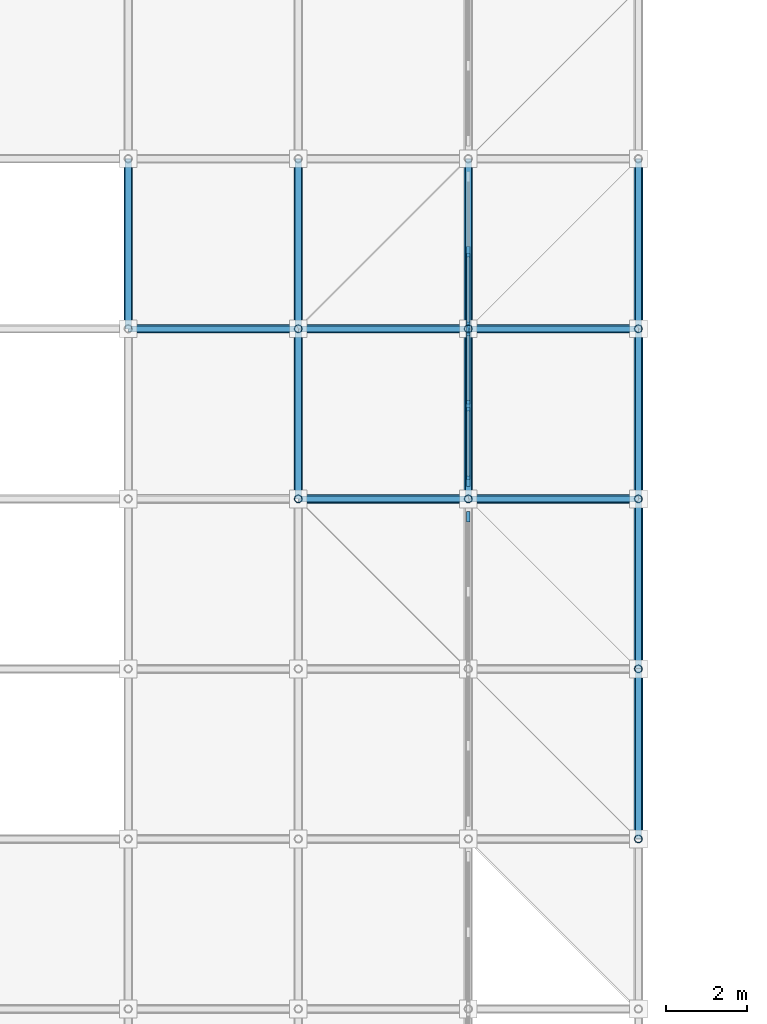
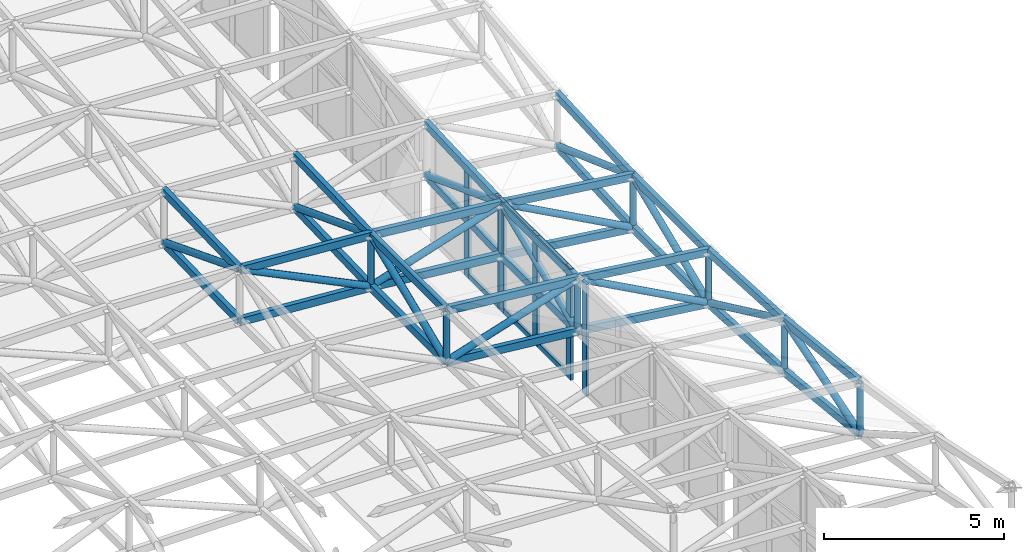
# One storey, part 25 of 132: 62 members, 3 elements without a shape of their own.
"""IFC4 building model written with IfcOpenShell, lengths in metres."""

from ifc_helpers import new_model, si_unit, direction, frame, origin, origin_2d, place, context, subcontext, project, spatial, rectangle, hollow_rectangle, hollow_circle, extrude, material, material_profile, profile_set, type_object, element, aggregate, save


model = new_model("IFC4")

# Units and contexts
model_context = context("Model", 3, precision=1e-05, world=origin(), true_north=direction((0.0, 1.0)))
body_context = subcontext(model_context, "Body", "Model", "MODEL_VIEW")
ifc_project = project(units=[si_unit("LENGTHUNIT", "METRE"), si_unit("AREAUNIT", "SQUARE_METRE"), si_unit("VOLUMEUNIT", "CUBIC_METRE"), si_unit("PLANEANGLEUNIT", "RADIAN"), si_unit("MASSUNIT", "GRAM", prefix="KILO")], contexts=[model_context])

# Site, building, storey
site_placement = place(None, origin())
site = spatial("IfcSite", under=ifc_project, at=site_placement, CompositionType="ELEMENT")
building_placement = place(site_placement, origin())
building = spatial("IfcBuilding", under=site, at=building_placement, Name="Cumbredor Promenade Congress Hotel", CompositionType="ELEMENT")
storey_placement = place(building_placement, frame((0.0, 0.0, 7.56005859375)))
storey = spatial("IfcBuildingStorey", under=building, at=storey_placement, Name="L02", CompositionType="ELEMENT", Elevation=7.56005859375)

# Curtain wall, member
ifc_material_1 = material(Name="Thermally broken anodized aluminium and low-E glass", Category="aluminium")
curtain_wall_type = type_object("IfcCurtainWallType", Name="Stepped Pavilion Clerestory Curtain Wall CW-06", PredefinedType="NOTDEFINED", material=ifc_material_1)
curtain_wall_1_placement = place(storey_placement, origin())
curtain_wall_1 = element("IfcCurtainWall", 1, at=curtain_wall_1_placement, inside=storey, type_object=curtain_wall_type, Name="Thermal Spa and Hydrotherapy Pavilion E Glazed Clerestory 4", PredefinedType="NOTDEFINED")
ifc_material_2 = material(Name="Thermally broken anodized aluminium", Category="aluminium")
ifc_material_profile_1 = material_profile(ifc_material_2, rectangle(XDim=0.0849609375, YDim=0.260009765625, at=origin_2d()), Name="ALU MULLION CLERESTORY 85x260")
ifc_profile_set_1 = profile_set([ifc_material_profile_1], Name="Thermally broken anodized aluminium")
member_type_1 = type_object("IfcMemberType", Name="Curtain Wall Mullion ML-04", PredefinedType="MULLION", material=ifc_profile_set_1)
member_1_placement = place(storey_placement, frame((109.199951171875, 24.760009765625, -0.01806640625), z_axis=(0.0, 0.0, 1.0), x_axis=(1.0, 0.0, 0.0)))
member_1 = element("IfcMember", 2, at=member_1_placement, type_object=member_type_1, Name="Thermal Spa and Hydrotherapy Pavilion E Glazed Clerestory 4 Mullion 3", PredefinedType="MULLION", context=body_context, shape_type="SweptSolid", body=[
    extrude(rectangle(XDim=0.0849609375, YDim=0.260009765625, at=origin_2d()), origin(), (0.0, 0.0, 1.0), 3.790771484375),
])
aggregate(curtain_wall_1, [member_1])

# Curtain wall, members
curtain_wall_2_placement = place(storey_placement, origin())
curtain_wall_2 = element("IfcCurtainWall", 3, at=curtain_wall_2_placement, inside=storey, type_object=curtain_wall_type, Name="Thermal Spa and Hydrotherapy Pavilion E Glazed Clerestory 5", PredefinedType="NOTDEFINED")
member_2_placement = place(storey_placement, frame((109.199951171875, 25.639892578125, -0.01806640625), z_axis=(0.0, 0.0, 1.0), x_axis=(1.0, 0.0, 0.0)))
member_2 = element("IfcMember", 4, at=member_2_placement, type_object=member_type_1, Name="Thermal Spa and Hydrotherapy Pavilion E Glazed Clerestory 5 Mullion 1", PredefinedType="MULLION", context=body_context, shape_type="SweptSolid", body=[
    extrude(rectangle(XDim=0.0849609375, YDim=0.260009765625, at=origin_2d()), origin(), (0.0, 0.0, 1.0), 3.790771484375),
])
member_3_placement = place(storey_placement, frame((109.199951171875, 27.5, -0.01806640625), z_axis=(0.0, 0.0, 1.0), x_axis=(1.0, 0.0, 0.0)))
member_3 = element("IfcMember", 5, at=member_3_placement, type_object=member_type_1, Name="Thermal Spa and Hydrotherapy Pavilion E Glazed Clerestory 5 Mullion 2", PredefinedType="MULLION", context=body_context, shape_type="SweptSolid", body=[
    extrude(rectangle(XDim=0.0849609375, YDim=0.260009765625, at=origin_2d()), origin(), (0.0, 0.0, 1.0), 3.790771484375),
])
member_4_placement = place(storey_placement, frame((109.199951171875, 29.360107421875, -0.01806640625), z_axis=(0.0, 0.0, 1.0), x_axis=(1.0, 0.0, 0.0)))
member_4 = element("IfcMember", 6, at=member_4_placement, type_object=member_type_1, Name="Thermal Spa and Hydrotherapy Pavilion E Glazed Clerestory 5 Mullion 3", PredefinedType="MULLION", context=body_context, shape_type="SweptSolid", body=[
    extrude(rectangle(XDim=0.0849609375, YDim=0.260009765625, at=origin_2d()), origin(), (0.0, 0.0, 1.0), 3.790771484375),
])

curtain_wall_3_placement = place(storey_placement, origin())
curtain_wall_3 = element("IfcCurtainWall", 7, at=curtain_wall_3_placement, inside=storey, type_object=curtain_wall_type, Name="Thermal Spa and Hydrotherapy Pavilion E Glazed Clerestory 6", PredefinedType="NOTDEFINED")
member_5_placement = place(storey_placement, frame((109.199951171875, 29.43994140625, -0.01806640625), z_axis=(0.0, 0.0, 1.0), x_axis=(1.0, 0.0, 0.0)))
member_5 = element("IfcMember", 8, at=member_5_placement, type_object=member_type_1, Name="Thermal Spa and Hydrotherapy Pavilion E Glazed Clerestory 6 Mullion 1", PredefinedType="MULLION", context=body_context, shape_type="SweptSolid", body=[
    extrude(rectangle(XDim=0.0849609375, YDim=0.260009765625, at=origin_2d()), origin(), (0.0, 0.0, 1.0), 3.790771484375),
])
member_6_placement = place(storey_placement, frame((109.199951171875, 31.300048828125, -0.01806640625), z_axis=(0.0, 0.0, 1.0), x_axis=(1.0, 0.0, 0.0)))
member_6 = element("IfcMember", 9, at=member_6_placement, type_object=member_type_1, Name="Thermal Spa and Hydrotherapy Pavilion E Glazed Clerestory 6 Mullion 2", PredefinedType="MULLION", context=body_context, shape_type="SweptSolid", body=[
    extrude(rectangle(XDim=0.0849609375, YDim=0.260009765625, at=origin_2d()), origin(), (0.0, 0.0, 1.0), 3.790771484375),
])

# Member
ifc_material_profile_2 = material_profile(ifc_material_2, rectangle(XDim=0.080078125, YDim=0.179931640625, at=origin_2d()), Name="ALU TRANSOM 80x180")
ifc_profile_set_2 = profile_set([ifc_material_profile_2], Name="Thermally broken anodized aluminium")
member_type_2 = type_object("IfcMemberType", Name="Curtain Wall Transom TR-03", PredefinedType="USERDEFINED", material=ifc_profile_set_2)
member_7_placement = place(storey_placement, frame((109.199951171875, 25.6826171875, 0.079833984375), z_axis=(0.0, 1.0, 0.0), x_axis=(-1.0, 0.0, 0.0)))
member_7 = element("IfcMember", 10, at=member_7_placement, type_object=member_type_2, Name="Thermal Spa and Hydrotherapy Pavilion E Glazed Clerestory 5 Transom 1.1", ObjectType="TRANSOM", PredefinedType="USERDEFINED", context=body_context, shape_type="SweptSolid", body=[
    extrude(rectangle(XDim=0.080078125, YDim=0.179931640625, at=origin_2d()), origin(), (0.0, 0.0, 1.0), 1.77490234375),
])

member_8_placement = place(storey_placement, frame((109.199951171875, 25.6826171875, 3.669921875), z_axis=(0.0, 1.0, 0.0), x_axis=(-1.0, 0.0, 0.0)))
member_8 = element("IfcMember", 11, at=member_8_placement, type_object=member_type_2, Name="Thermal Spa and Hydrotherapy Pavilion E Glazed Clerestory 5 Transom 1.2", ObjectType="TRANSOM", PredefinedType="USERDEFINED", context=body_context, shape_type="SweptSolid", body=[
    extrude(rectangle(XDim=0.080078125, YDim=0.179931640625, at=origin_2d()), origin(), (0.0, 0.0, 1.0), 1.77490234375),
])

member_9_placement = place(storey_placement, frame((109.199951171875, 27.54248046875, 0.079833984375), z_axis=(0.0, 1.0, 0.0), x_axis=(-1.0, 0.0, 0.0)))
member_9 = element("IfcMember", 12, at=member_9_placement, type_object=member_type_2, Name="Thermal Spa and Hydrotherapy Pavilion E Glazed Clerestory 5 Transom 2.1", ObjectType="TRANSOM", PredefinedType="USERDEFINED", context=body_context, shape_type="SweptSolid", body=[
    extrude(rectangle(XDim=0.080078125, YDim=0.179931640625, at=origin_2d()), origin(), (0.0, 0.0, 1.0), 1.77490234375),
])

member_10_placement = place(storey_placement, frame((109.199951171875, 27.54248046875, 3.669921875), z_axis=(0.0, 1.0, 0.0), x_axis=(-1.0, 0.0, 0.0)))
member_10 = element("IfcMember", 13, at=member_10_placement, type_object=member_type_2, Name="Thermal Spa and Hydrotherapy Pavilion E Glazed Clerestory 5 Transom 2.2", ObjectType="TRANSOM", PredefinedType="USERDEFINED", context=body_context, shape_type="SweptSolid", body=[
    extrude(rectangle(XDim=0.080078125, YDim=0.179931640625, at=origin_2d()), origin(), (0.0, 0.0, 1.0), 1.77490234375),
])

aggregate(curtain_wall_2, [member_2, member_3, member_4, member_7, member_8, member_9, member_10])

member_11_placement = place(storey_placement, frame((109.199951171875, 29.482421875, 0.079833984375), z_axis=(0.0, 1.0, 0.0), x_axis=(-1.0, 0.0, 0.0)))
member_11 = element("IfcMember", 14, at=member_11_placement, type_object=member_type_2, Name="Thermal Spa and Hydrotherapy Pavilion E Glazed Clerestory 6 Transom 1.1", ObjectType="TRANSOM", PredefinedType="USERDEFINED", context=body_context, shape_type="SweptSolid", body=[
    extrude(rectangle(XDim=0.080078125, YDim=0.179931640625, at=origin_2d()), origin(), (0.0, 0.0, 1.0), 1.775146484375),
])

member_12_placement = place(storey_placement, frame((109.199951171875, 29.482421875, 3.669921875), z_axis=(0.0, 1.0, 0.0), x_axis=(-1.0, 0.0, 0.0)))
member_12 = element("IfcMember", 15, at=member_12_placement, type_object=member_type_2, Name="Thermal Spa and Hydrotherapy Pavilion E Glazed Clerestory 6 Transom 1.2", ObjectType="TRANSOM", PredefinedType="USERDEFINED", context=body_context, shape_type="SweptSolid", body=[
    extrude(rectangle(XDim=0.080078125, YDim=0.179931640625, at=origin_2d()), origin(), (0.0, 0.0, 1.0), 1.775146484375),
])

aggregate(curtain_wall_3, [member_5, member_6, member_11, member_12])

# Members
ifc_material_3 = material(Name="Steel ASTM A500 Grade C", Category="steel")
ifc_material_profile_3 = material_profile(ifc_material_3, hollow_rectangle(XDim=0.14990234375, YDim=0.25, WallThickness=0.012451171875, at=origin_2d()), Name="HSS 250x150x12.5")
ifc_profile_set_3 = profile_set([ifc_material_profile_3], Name="Steel ASTM A500 Grade C")
member_type_3 = type_object("IfcMemberType", Name="Spa Roof Space Frame Chord", PredefinedType="CHORD", material=ifc_profile_set_3)
for number, where, z_axis, x_axis, name in (
    (16, (105.0, 25.199951171875, 4.0380859375), (0.995124432433, 0.0, -0.098627399715), (0.0, 1.0, 0.0), "Thermal Spa and Hydrotherapy Pavilion X Top Chord 9.7"),
    (17, (105.0, 25.199951171875, 2.2880859375), (0.995124432433, 0.0, -0.098627399715), (0.0, 1.0, 0.0), "Thermal Spa and Hydrotherapy Pavilion X Bottom Chord 9.7"),
):
    element("IfcMember", number, at=place(storey_placement, frame(where, z_axis=z_axis, x_axis=x_axis)), inside=storey, type_object=member_type_3, Name=name, PredefinedType="CHORD", context=body_context, shape_type="SweptSolid", body=[
        extrude(hollow_rectangle(XDim=0.14990234375, YDim=0.25, WallThickness=0.012451171875, at=origin_2d()), origin(), (0.0, 0.0, 1.0), 4.220458984375),
    ])
for number, where, z_axis, x_axis, name in (
    (18, (109.199951171875, 25.199951171875, 3.621826171875), (0.992001325456, 0.0, -0.126227454596), (0.0, 1.0, 0.0), "Thermal Spa and Hydrotherapy Pavilion X Top Chord 10.7"),
    (19, (109.199951171875, 25.199951171875, 1.871826171875), (0.992001325456, 0.0, -0.126227454596), (0.0, 1.0, 0.0), "Thermal Spa and Hydrotherapy Pavilion X Bottom Chord 10.7"),
):
    element("IfcMember", number, at=place(storey_placement, frame(where, z_axis=z_axis, x_axis=x_axis)), inside=storey, type_object=member_type_3, Name=name, PredefinedType="CHORD", context=body_context, shape_type="SweptSolid", body=[
        extrude(hollow_rectangle(XDim=0.14990234375, YDim=0.25, WallThickness=0.012451171875, at=origin_2d()), origin(), (0.0, 0.0, 1.0), 4.23388671875),
    ])
for number, where, z_axis, x_axis, name in (
    (20, (100.800048828125, 29.39990234375, 4.335693359375), (0.997498863978, 0.0, -0.070682503935), (0.0, 1.0, 0.0), "Thermal Spa and Hydrotherapy Pavilion X Top Chord 8.8"),
    (21, (100.800048828125, 29.39990234375, 2.585693359375), (0.997498863978, 0.0, -0.070682503935), (0.0, 1.0, 0.0), "Thermal Spa and Hydrotherapy Pavilion X Bottom Chord 8.8"),
):
    element("IfcMember", number, at=place(storey_placement, frame(where, z_axis=z_axis, x_axis=x_axis)), inside=storey, type_object=member_type_3, Name=name, PredefinedType="CHORD", context=body_context, shape_type="SweptSolid", body=[
        extrude(hollow_rectangle(XDim=0.14990234375, YDim=0.25, WallThickness=0.012451171875, at=origin_2d()), origin(), (0.0, 0.0, 1.0), 4.21044921875),
    ])
for number, where, z_axis, x_axis, name in (
    (22, (105.0, 29.39990234375, 4.0380859375), (0.995124432433, 0.0, -0.098627399715), (0.0, 1.0, 0.0), "Thermal Spa and Hydrotherapy Pavilion X Top Chord 9.8"),
    (23, (105.0, 29.39990234375, 2.2880859375), (0.995124432433, 0.0, -0.098627399715), (0.0, 1.0, 0.0), "Thermal Spa and Hydrotherapy Pavilion X Bottom Chord 9.8"),
):
    element("IfcMember", number, at=place(storey_placement, frame(where, z_axis=z_axis, x_axis=x_axis)), inside=storey, type_object=member_type_3, Name=name, PredefinedType="CHORD", context=body_context, shape_type="SweptSolid", body=[
        extrude(hollow_rectangle(XDim=0.14990234375, YDim=0.25, WallThickness=0.012451171875, at=origin_2d()), origin(), (0.0, 0.0, 1.0), 4.220458984375),
    ])
for number, where, z_axis, x_axis, name in (
    (24, (109.199951171875, 29.39990234375, 3.621826171875), (0.992001325456, 0.0, -0.126227454596), (0.0, 1.0, 0.0), "Thermal Spa and Hydrotherapy Pavilion X Top Chord 10.8"),
    (25, (109.199951171875, 29.39990234375, 1.871826171875), (0.992001325456, 0.0, -0.126227454596), (0.0, 1.0, 0.0), "Thermal Spa and Hydrotherapy Pavilion X Bottom Chord 10.8"),
):
    element("IfcMember", number, at=place(storey_placement, frame(where, z_axis=z_axis, x_axis=x_axis)), inside=storey, type_object=member_type_3, Name=name, PredefinedType="CHORD", context=body_context, shape_type="SweptSolid", body=[
        extrude(hollow_rectangle(XDim=0.14990234375, YDim=0.25, WallThickness=0.012451171875, at=origin_2d()), origin(), (0.0, 0.0, 1.0), 4.23388671875),
    ])
for number, where, z_axis, x_axis, name in (
    (26, (100.800048828125, 29.39990234375, 4.335693359375), (0.0, 0.999627038642, 0.02730903907), (-1.0, 0.0, 0.0), "Thermal Spa and Hydrotherapy Pavilion Y Top Chord 8.8"),
    (27, (100.800048828125, 29.39990234375, 2.585693359375), (0.0, 0.999627038642, 0.02730903907), (-1.0, 0.0, 0.0), "Thermal Spa and Hydrotherapy Pavilion Y Bottom Chord 8.8"),
):
    element("IfcMember", number, at=place(storey_placement, frame(where, z_axis=z_axis, x_axis=x_axis)), inside=storey, type_object=member_type_3, Name=name, PredefinedType="CHORD", context=body_context, shape_type="SweptSolid", body=[
        extrude(hollow_rectangle(XDim=0.14990234375, YDim=0.25, WallThickness=0.012451171875, at=origin_2d()), origin(), (0.0, 0.0, 1.0), 4.20166015625),
    ])
for number, where, z_axis, x_axis, name in (
    (28, (105.0, 25.199951171875, 4.0380859375), (0.0, 1.0, 0.0), (-1.0, 0.0, 0.0), "Thermal Spa and Hydrotherapy Pavilion Y Top Chord 9.7"),
    (29, (105.0, 25.199951171875, 2.2880859375), (0.0, 1.0, 0.0), (-1.0, 0.0, 0.0), "Thermal Spa and Hydrotherapy Pavilion Y Bottom Chord 9.7"),
):
    element("IfcMember", number, at=place(storey_placement, frame(where, z_axis=z_axis, x_axis=x_axis)), inside=storey, type_object=member_type_3, Name=name, PredefinedType="CHORD", context=body_context, shape_type="SweptSolid", body=[
        extrude(hollow_rectangle(XDim=0.14990234375, YDim=0.25, WallThickness=0.012451171875, at=origin_2d()), origin(), (0.0, 0.0, 1.0), 4.199951171875),
    ])
for number, where, z_axis, x_axis, name in (
    (30, (105.0, 29.39990234375, 4.0380859375), (0.0, 0.999443874869, 0.033345779131), (-1.0, 0.0, 0.0), "Thermal Spa and Hydrotherapy Pavilion Y Top Chord 9.8"),
    (31, (105.0, 29.39990234375, 2.2880859375), (0.0, 0.999443874869, 0.033345779131), (-1.0, 0.0, 0.0), "Thermal Spa and Hydrotherapy Pavilion Y Bottom Chord 9.8"),
):
    element("IfcMember", number, at=place(storey_placement, frame(where, z_axis=z_axis, x_axis=x_axis)), inside=storey, type_object=member_type_3, Name=name, PredefinedType="CHORD", context=body_context, shape_type="SweptSolid", body=[
        extrude(hollow_rectangle(XDim=0.14990234375, YDim=0.25, WallThickness=0.012451171875, at=origin_2d()), origin(), (0.0, 0.0, 1.0), 4.20263671875),
    ])
for number, where, z_axis, x_axis, name in (
    (32, (109.199951171875, 25.199951171875, 3.621826171875), (0.0, 1.0, 0.0), (-1.0, 0.0, 0.0), "Thermal Spa and Hydrotherapy Pavilion Y Top Chord 10.7"),
    (33, (109.199951171875, 25.199951171875, 1.871826171875), (0.0, 1.0, 0.0), (-1.0, 0.0, 0.0), "Thermal Spa and Hydrotherapy Pavilion Y Bottom Chord 10.7"),
):
    element("IfcMember", number, at=place(storey_placement, frame(where, z_axis=z_axis, x_axis=x_axis)), inside=storey, type_object=member_type_3, Name=name, PredefinedType="CHORD", context=body_context, shape_type="SweptSolid", body=[
        extrude(hollow_rectangle(XDim=0.14990234375, YDim=0.25, WallThickness=0.012451171875, at=origin_2d()), origin(), (0.0, 0.0, 1.0), 4.199951171875),
    ])
for number, where, z_axis, x_axis, name in (
    (34, (109.199951171875, 29.39990234375, 3.621826171875), (0.0, 0.999127831372, 0.04175615617), (-1.0, 0.0, 0.0), "Thermal Spa and Hydrotherapy Pavilion Y Top Chord 10.8"),
    (35, (109.199951171875, 29.39990234375, 1.871826171875), (0.0, 0.999127831372, 0.04175615617), (-1.0, 0.0, 0.0), "Thermal Spa and Hydrotherapy Pavilion Y Bottom Chord 10.8"),
):
    element("IfcMember", number, at=place(storey_placement, frame(where, z_axis=z_axis, x_axis=x_axis)), inside=storey, type_object=member_type_3, Name=name, PredefinedType="CHORD", context=body_context, shape_type="SweptSolid", body=[
        extrude(hollow_rectangle(XDim=0.14990234375, YDim=0.25, WallThickness=0.012451171875, at=origin_2d()), origin(), (0.0, 0.0, 1.0), 4.203857421875),
    ])
for number, where, z_axis, x_axis, name in (
    (36, (113.39990234375, 16.800048828125, 3.753173828125), (0.0, 0.994462290258, -0.105094021025), (-1.0, 0.0, 0.0), "Thermal Spa and Hydrotherapy Pavilion Y Top Chord 11.5"),
    (37, (113.39990234375, 16.800048828125, 2.003173828125), (0.0, 0.994462290258, -0.105094021025), (-1.0, 0.0, 0.0), "Thermal Spa and Hydrotherapy Pavilion Y Bottom Chord 11.5"),
):
    element("IfcMember", number, at=place(storey_placement, frame(where, z_axis=z_axis, x_axis=x_axis)), inside=storey, type_object=member_type_3, Name=name, PredefinedType="CHORD", context=body_context, shape_type="SweptSolid", body=[
        extrude(hollow_rectangle(XDim=0.14990234375, YDim=0.25, WallThickness=0.012451171875, at=origin_2d()), origin(), (0.0, 0.0, 1.0), 4.223388671875),
    ])
for number, where, z_axis, x_axis, name in (
    (38, (113.39990234375, 21.0, 3.309326171875), (0.0, 0.998606903719, -0.052766010317), (-1.0, 0.0, 0.0), "Thermal Spa and Hydrotherapy Pavilion Y Top Chord 11.6"),
    (39, (113.39990234375, 21.0, 1.559326171875), (0.0, 0.998606903719, -0.052766010317), (-1.0, 0.0, 0.0), "Thermal Spa and Hydrotherapy Pavilion Y Bottom Chord 11.6"),
):
    element("IfcMember", number, at=place(storey_placement, frame(where, z_axis=z_axis, x_axis=x_axis)), inside=storey, type_object=member_type_3, Name=name, PredefinedType="CHORD", context=body_context, shape_type="SweptSolid", body=[
        extrude(hollow_rectangle(XDim=0.14990234375, YDim=0.25, WallThickness=0.012451171875, at=origin_2d()), origin(), (0.0, 0.0, 1.0), 4.205810546875),
    ])
for number, where, z_axis, x_axis, name in (
    (40, (113.39990234375, 25.199951171875, 3.08740234375), (0.0, 1.0, 0.0), (-1.0, 0.0, 0.0), "Thermal Spa and Hydrotherapy Pavilion Y Top Chord 11.7"),
    (41, (113.39990234375, 25.199951171875, 1.33740234375), (0.0, 1.0, 0.0), (-1.0, 0.0, 0.0), "Thermal Spa and Hydrotherapy Pavilion Y Bottom Chord 11.7"),
):
    element("IfcMember", number, at=place(storey_placement, frame(where, z_axis=z_axis, x_axis=x_axis)), inside=storey, type_object=member_type_3, Name=name, PredefinedType="CHORD", context=body_context, shape_type="SweptSolid", body=[
        extrude(hollow_rectangle(XDim=0.14990234375, YDim=0.25, WallThickness=0.012451171875, at=origin_2d()), origin(), (0.0, 0.0, 1.0), 4.199951171875),
    ])
for number, where, z_axis, x_axis, name in (
    (42, (113.39990234375, 29.39990234375, 3.08740234375), (0.0, 0.998607065326, 0.052762951778), (-1.0, 0.0, 0.0), "Thermal Spa and Hydrotherapy Pavilion Y Top Chord 11.8"),
    (43, (113.39990234375, 29.39990234375, 1.33740234375), (0.0, 0.998607065326, 0.052762951778), (-1.0, 0.0, 0.0), "Thermal Spa and Hydrotherapy Pavilion Y Bottom Chord 11.8"),
):
    element("IfcMember", number, at=place(storey_placement, frame(where, z_axis=z_axis, x_axis=x_axis)), inside=storey, type_object=member_type_3, Name=name, PredefinedType="CHORD", context=body_context, shape_type="SweptSolid", body=[
        extrude(hollow_rectangle(XDim=0.14990234375, YDim=0.25, WallThickness=0.012451171875, at=origin_2d()), origin(), (0.0, 0.0, 1.0), 4.2060546875),
    ])
ifc_material_profile_4 = material_profile(ifc_material_3, hollow_circle(Radius=0.109619140625, WallThickness=0.012451171875, at=origin_2d()), Name="CHS 219.1x12.5")
ifc_profile_set_4 = profile_set([ifc_material_profile_4], Name="Steel ASTM A500 Grade C")
member_type_4 = type_object("IfcMemberType", Name="Space Frame Web Diagonal D1", PredefinedType="BRACE", material=ifc_profile_set_4)
member_13_placement = place(storey_placement, frame((105.0, 25.199951171875, 2.2880859375), z_axis=(0.953096618765, 0.0, 0.302666211028), x_axis=(0.0, 1.0, 0.0)))
element("IfcMember", 44, at=member_13_placement, inside=storey, type_object=member_type_4, Name="Thermal Spa and Hydrotherapy Pavilion X Web Diagonal 9.7", PredefinedType="BRACE", context=body_context, shape_type="SweptSolid", body=[
    extrude(hollow_circle(Radius=0.109619140625, WallThickness=0.012451171875, at=origin_2d()), origin(), (0.0, 0.0, 1.0), 4.40673828125),
])
member_14_placement = place(storey_placement, frame((109.199951171875, 25.199951171875, 3.621826171875), z_axis=(0.878462844998, 0.0, -0.477810663294), x_axis=(0.0, 1.0, 0.0)))
element("IfcMember", 45, at=member_14_placement, inside=storey, type_object=member_type_4, Name="Thermal Spa and Hydrotherapy Pavilion X Web Diagonal 10.7", PredefinedType="BRACE", context=body_context, shape_type="SweptSolid", body=[
    extrude(hollow_circle(Radius=0.109619140625, WallThickness=0.012451171875, at=origin_2d()), origin(), (0.0, 0.0, 1.0), 4.781005859375),
])
member_15_placement = place(storey_placement, frame((100.800048828125, 29.39990234375, 4.335693359375), z_axis=(0.898865341957, 0.0, -0.438224938848), x_axis=(0.0, 1.0, 0.0)))
element("IfcMember", 46, at=member_15_placement, inside=storey, type_object=member_type_4, Name="Thermal Spa and Hydrotherapy Pavilion X Web Diagonal 8.8", PredefinedType="BRACE", context=body_context, shape_type="SweptSolid", body=[
    extrude(hollow_circle(Radius=0.109619140625, WallThickness=0.012451171875, at=origin_2d()), origin(), (0.0, 0.0, 1.0), 4.672607421875),
])
member_16_placement = place(storey_placement, frame((105.0, 29.39990234375, 2.2880859375), z_axis=(0.953096618765, 0.0, 0.302666211028), x_axis=(0.0, 1.0, 0.0)))
element("IfcMember", 47, at=member_16_placement, inside=storey, type_object=member_type_4, Name="Thermal Spa and Hydrotherapy Pavilion X Web Diagonal 9.8", PredefinedType="BRACE", context=body_context, shape_type="SweptSolid", body=[
    extrude(hollow_circle(Radius=0.109619140625, WallThickness=0.012451171875, at=origin_2d()), origin(), (0.0, 0.0, 1.0), 4.40673828125),
])
member_17_placement = place(storey_placement, frame((109.199951171875, 29.39990234375, 3.621826171875), z_axis=(0.878462844998, 0.0, -0.477810663294), x_axis=(0.0, 1.0, 0.0)))
element("IfcMember", 48, at=member_17_placement, inside=storey, type_object=member_type_4, Name="Thermal Spa and Hydrotherapy Pavilion X Web Diagonal 10.8", PredefinedType="BRACE", context=body_context, shape_type="SweptSolid", body=[
    extrude(hollow_circle(Radius=0.109619140625, WallThickness=0.012451171875, at=origin_2d()), origin(), (0.0, 0.0, 1.0), 4.781005859375),
])
member_18_placement = place(storey_placement, frame((100.800048828125, 29.39990234375, 4.335693359375), z_axis=(0.0, 0.931866357827, -0.362801724292), x_axis=(-1.0, 0.0, 0.0)))
element("IfcMember", 49, at=member_18_placement, inside=storey, type_object=member_type_4, Name="Thermal Spa and Hydrotherapy Pavilion Y Web Diagonal 8.8", PredefinedType="BRACE", context=body_context, shape_type="SweptSolid", body=[
    extrude(hollow_circle(Radius=0.109619140625, WallThickness=0.012451171875, at=origin_2d()), origin(), (0.0, 0.0, 1.0), 4.50732421875),
])
member_19_placement = place(storey_placement, frame((105.0, 25.199951171875, 2.2880859375), z_axis=(0.0, 0.92307533556, 0.384619194634), x_axis=(-1.0, 0.0, 0.0)))
element("IfcMember", 50, at=member_19_placement, inside=storey, type_object=member_type_4, Name="Thermal Spa and Hydrotherapy Pavilion Y Web Diagonal 9.7", PredefinedType="BRACE", context=body_context, shape_type="SweptSolid", body=[
    extrude(hollow_circle(Radius=0.109619140625, WallThickness=0.012451171875, at=origin_2d()), origin(), (0.0, 0.0, 1.0), 4.550048828125),
])
member_20_placement = place(storey_placement, frame((105.0, 29.39990234375, 4.0380859375), z_axis=(0.0, 0.933761837865, -0.357894998773), x_axis=(-1.0, 0.0, 0.0)))
element("IfcMember", 51, at=member_20_placement, inside=storey, type_object=member_type_4, Name="Thermal Spa and Hydrotherapy Pavilion Y Web Diagonal 9.8", PredefinedType="BRACE", context=body_context, shape_type="SweptSolid", body=[
    extrude(hollow_circle(Radius=0.109619140625, WallThickness=0.012451171875, at=origin_2d()), origin(), (0.0, 0.0, 1.0), 4.498046875),
])
member_21_placement = place(storey_placement, frame((109.199951171875, 25.199951171875, 1.871826171875), z_axis=(0.0, 0.92307533556, 0.384619194634), x_axis=(-1.0, 0.0, 0.0)))
element("IfcMember", 52, at=member_21_placement, inside=storey, type_object=member_type_4, Name="Thermal Spa and Hydrotherapy Pavilion Y Web Diagonal 10.7", PredefinedType="BRACE", context=body_context, shape_type="SweptSolid", body=[
    extrude(hollow_circle(Radius=0.109619140625, WallThickness=0.012451171875, at=origin_2d()), origin(), (0.0, 0.0, 1.0), 4.550048828125),
])
member_22_placement = place(storey_placement, frame((109.199951171875, 29.39990234375, 3.621826171875), z_axis=(0.0, 0.936373905054, -0.351004145181), x_axis=(-1.0, 0.0, 0.0)))
element("IfcMember", 53, at=member_22_placement, inside=storey, type_object=member_type_4, Name="Thermal Spa and Hydrotherapy Pavilion Y Web Diagonal 10.8", PredefinedType="BRACE", context=body_context, shape_type="SweptSolid", body=[
    extrude(hollow_circle(Radius=0.109619140625, WallThickness=0.012451171875, at=origin_2d()), origin(), (0.0, 0.0, 1.0), 4.485595703125),
])
member_23_placement = place(storey_placement, frame((113.39990234375, 16.800048828125, 2.003173828125), z_axis=(0.0, 0.954888960355, 0.296963084224), x_axis=(-1.0, 0.0, 0.0)))
element("IfcMember", 54, at=member_23_placement, inside=storey, type_object=member_type_4, Name="Thermal Spa and Hydrotherapy Pavilion Y Web Diagonal 11.5", PredefinedType="BRACE", context=body_context, shape_type="SweptSolid", body=[
    extrude(hollow_circle(Radius=0.109619140625, WallThickness=0.012451171875, at=origin_2d()), origin(), (0.0, 0.0, 1.0), 4.3984375),
])
member_24_placement = place(storey_placement, frame((113.39990234375, 21.0, 3.309326171875), z_axis=(0.0, 0.905193982736, -0.424998651314), x_axis=(-1.0, 0.0, 0.0)))
element("IfcMember", 55, at=member_24_placement, inside=storey, type_object=member_type_4, Name="Thermal Spa and Hydrotherapy Pavilion Y Web Diagonal 11.6", PredefinedType="BRACE", context=body_context, shape_type="SweptSolid", body=[
    extrude(hollow_circle(Radius=0.109619140625, WallThickness=0.012451171875, at=origin_2d()), origin(), (0.0, 0.0, 1.0), 4.639892578125),
])
member_25_placement = place(storey_placement, frame((113.39990234375, 25.199951171875, 1.33740234375), z_axis=(0.0, 0.92307533556, 0.384619194634), x_axis=(-1.0, 0.0, 0.0)))
element("IfcMember", 56, at=member_25_placement, inside=storey, type_object=member_type_4, Name="Thermal Spa and Hydrotherapy Pavilion Y Web Diagonal 11.7", PredefinedType="BRACE", context=body_context, shape_type="SweptSolid", body=[
    extrude(hollow_circle(Radius=0.109619140625, WallThickness=0.012451171875, at=origin_2d()), origin(), (0.0, 0.0, 1.0), 4.550048828125),
])
member_26_placement = place(storey_placement, frame((113.39990234375, 29.39990234375, 3.08740234375), z_axis=(0.0, 0.939740782509, -0.341887791079), x_axis=(-1.0, 0.0, 0.0)))
element("IfcMember", 57, at=member_26_placement, inside=storey, type_object=member_type_4, Name="Thermal Spa and Hydrotherapy Pavilion Y Web Diagonal 11.8", PredefinedType="BRACE", context=body_context, shape_type="SweptSolid", body=[
    extrude(hollow_circle(Radius=0.109619140625, WallThickness=0.012451171875, at=origin_2d()), origin(), (0.0, 0.0, 1.0), 4.469482421875),
])
ifc_material_profile_5 = material_profile(ifc_material_3, hollow_circle(Radius=0.096923828125, WallThickness=0.010009765625, at=origin_2d()), Name="CHS 193.7x10")
ifc_profile_set_5 = profile_set([ifc_material_profile_5], Name="Steel ASTM A500 Grade C")
member_type_5 = type_object("IfcMemberType", Name="Space Frame Web Post P1", PredefinedType="BRACE", material=ifc_profile_set_5)
for number, where, z_axis, x_axis, name in (
    (58, (105.0, 25.199951171875, 2.2880859375), (0.0, 0.0, 1.0), (1.0, 0.0, 0.0), "Thermal Spa and Hydrotherapy Pavilion Space Frame Web Post 9.7"),
    (59, (105.0, 29.39990234375, 2.2880859375), (0.0, 0.0, 1.0), (1.0, 0.0, 0.0), "Thermal Spa and Hydrotherapy Pavilion Space Frame Web Post 9.8"),
    (60, (109.199951171875, 25.199951171875, 1.871826171875), (0.0, 0.0, 1.0), (1.0, 0.0, 0.0), "Thermal Spa and Hydrotherapy Pavilion Space Frame Web Post 10.7"),
    (61, (109.199951171875, 29.39990234375, 1.871826171875), (0.0, 0.0, 1.0), (1.0, 0.0, 0.0), "Thermal Spa and Hydrotherapy Pavilion Space Frame Web Post 10.8"),
    (62, (113.39990234375, 16.800048828125, 2.003173828125), (0.0, 0.0, 1.0), (1.0, 0.0, 0.0), "Thermal Spa and Hydrotherapy Pavilion Space Frame Web Post 11.5"),
    (63, (113.39990234375, 21.0, 1.559326171875), (0.0, 0.0, 1.0), (1.0, 0.0, 0.0), "Thermal Spa and Hydrotherapy Pavilion Space Frame Web Post 11.6"),
    (64, (113.39990234375, 25.199951171875, 1.33740234375), (0.0, 0.0, 1.0), (1.0, 0.0, 0.0), "Thermal Spa and Hydrotherapy Pavilion Space Frame Web Post 11.7"),
    (65, (113.39990234375, 29.39990234375, 1.33740234375), (0.0, 0.0, 1.0), (1.0, 0.0, 0.0), "Thermal Spa and Hydrotherapy Pavilion Space Frame Web Post 11.8"),
):
    element("IfcMember", number, at=place(storey_placement, frame(where, z_axis=z_axis, x_axis=x_axis)), inside=storey, type_object=member_type_5, Name=name, PredefinedType="BRACE", context=body_context, shape_type="SweptSolid", body=[
        extrude(hollow_circle(Radius=0.096923828125, WallThickness=0.010009765625, at=origin_2d()), origin(), (0.0, 0.0, 1.0), 1.75),
    ])

save(model, "model.ifc")
